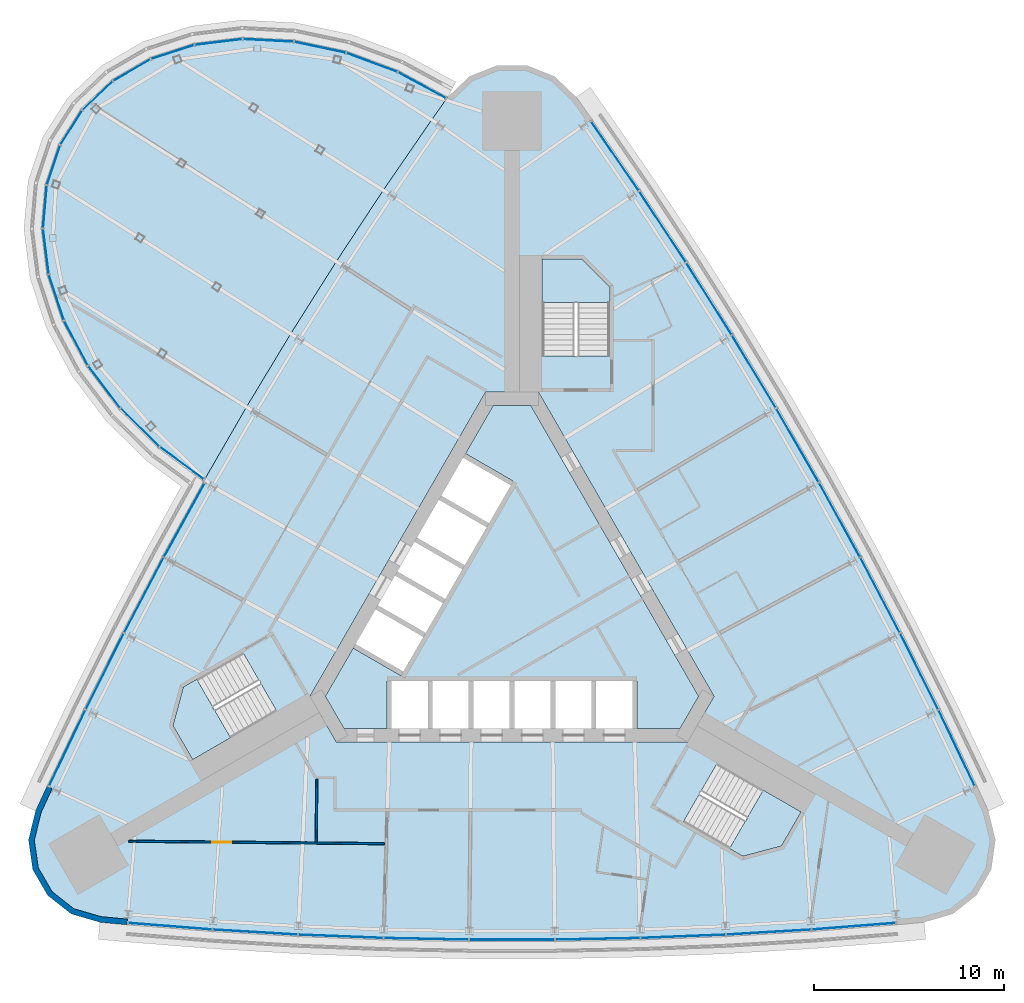
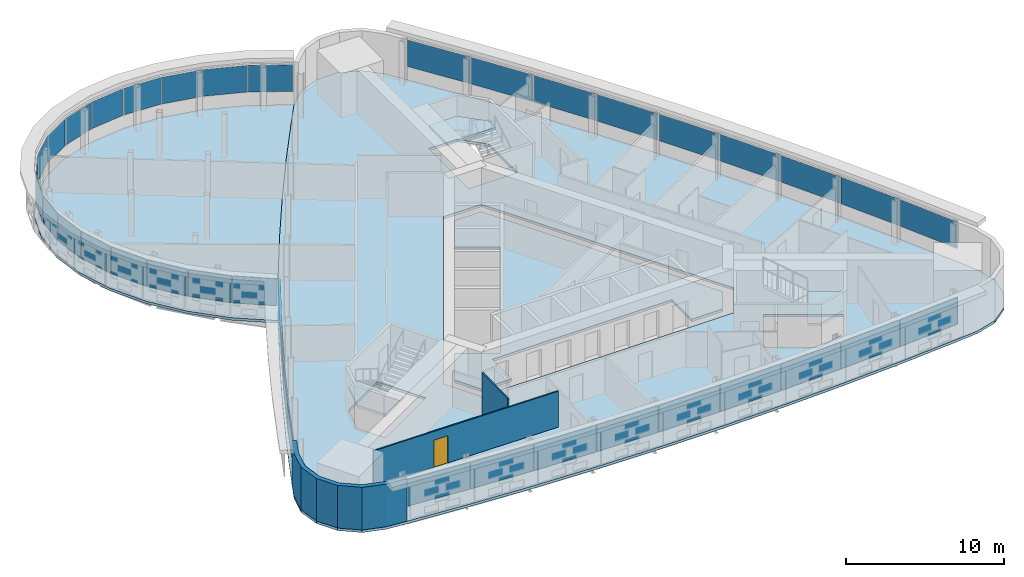
# One storey, part 10 of 17: 39 plates, 6 slabs, 3 walls, 1 door, 1 opening, 7 elements without a shape of their own.
"""IFC4 building model written with IfcOpenShell, lengths in metres."""

from ifc_helpers import new_model, si_unit, direction, frame, frame_2d, origin, origin_2d, place, context, subcontext, project, spatial, polyline, rectangle, outline, extrude, material, layer, layer_set, type_object, element, fill, aggregate, save


model = new_model("IFC4")

# Units and contexts
model_context = context("Model", 3, precision=1e-05, world=origin(), true_north=direction((0.0, 1.0)))
body_context = subcontext(model_context, "Body", "Model", "MODEL_VIEW")
ifc_project = project(units=[si_unit("LENGTHUNIT", "METRE"), si_unit("AREAUNIT", "SQUARE_METRE"), si_unit("VOLUMEUNIT", "CUBIC_METRE"), si_unit("PLANEANGLEUNIT", "RADIAN"), si_unit("MASSUNIT", "GRAM", prefix="KILO")], contexts=[model_context])

# Site, building, storey
site_placement = place(None, origin())
site = spatial("IfcSite", under=ifc_project, at=site_placement, CompositionType="ELEMENT")
building_placement = place(site_placement, origin())
building = spatial("IfcBuilding", under=site, at=building_placement, Name="Noor Cloister Tower", CompositionType="ELEMENT")
storey_placement = place(building_placement, frame((0.0, 0.0, 98.699951171875)))
storey = spatial("IfcBuildingStorey", under=building, at=storey_placement, Name="L25", CompositionType="ELEMENT", Elevation=98.699951171875)

# Slabs
ifc_material_1 = material(Name="Concrete C40/50", Category="concrete")
ifc_layer_1 = layer(ifc_material_1, 0.199951171875)
ifc_layer_set_1 = layer_set([ifc_layer_1], Name="Core floor slab 200 C40/50")
slab_type_1 = type_object("IfcSlabType", Name="Core floor slab 200 C40/50", PredefinedType="FLOOR", material=ifc_layer_set_1)
slab_1_placement = place(storey_placement, frame((0.0, 0.0, -0.199951171875)))
element("IfcSlab", 1, at=slab_1_placement, inside=storey, type_object=slab_type_1, Name="Core floor L25", PredefinedType="FLOOR", context=body_context, shape_type="SweptSolid", body=[
    extrude(outline(polyline([(-6.574951171875, -6.228271484375), (-6.574951171875, -3.728271484375), (6.574951171875, -3.728271484375), (6.574951171875, -6.228271484375), (8.82470703125, -6.228271484375), (9.80615234375, -4.5283203125), (0.9814453125, 10.75634765625), (-0.9814453125, 10.75634765625), (-2.44384765625, 8.2236328125), (0.067626953125, 6.773681640625), (-5.832275390625, -3.4453125), (-8.34375, -1.995361328125), (-9.80615234375, -4.5283203125), (-8.82470703125, -6.228271484375), (-6.574951171875, -6.228271484375)])), origin(), (0.0, 0.0, 1.0), 0.199951171875),
])
ifc_material_2 = material(Name="Concrete C40/50", Category="concrete")
ifc_layer_2 = layer(ifc_material_2, 0.199951171875)
ifc_layer_set_2 = layer_set([ifc_layer_2], Name="Floor slab 200 C40/50")
slab_type_2 = type_object("IfcSlabType", Name="Floor slab 200 C40/50", PredefinedType="FLOOR", material=ifc_layer_set_2)
slab_2_placement = place(storey_placement, frame((0.0, 0.0, -0.199951171875)))
element("IfcSlab", 2, at=slab_2_placement, inside=storey, type_object=slab_type_2, Name="Floor slab L25", PredefinedType="FLOOR", context=body_context, shape_type="SweptSolid", body=[
    extrude(outline(polyline([(3.37548828125, 26.95263671875), (2.240478515625, 28.035400390625), (0.784423828125, 28.61865234375), (-0.784423828125, 28.61865234375), (-2.240478515625, 28.035400390625), (-3.37548828125, 26.95263671875), (-4.204833984375, 25.77978515625), (-6.754150390625, 22.07177734375), (-9.230224609375, 18.314208984375), (-11.6318359375, 14.5087890625), (-13.9580078125, 10.65673828125), (-16.2080078125, 6.759765625), (-18.380859375, 2.819091796875), (-20.475830078125, -1.16357421875), (-22.49169921875, -5.1865234375), (-24.42822265625, -9.24853515625), (-25.029541015625, -10.552978515625), (-25.399658203125, -12.077392578125), (-25.1767578125, -13.630126953125), (-24.392333984375, -14.988525390625), (-23.1591796875, -15.958251953125), (-21.65380859375, -16.399658203125), (-20.2236328125, -16.53125), (-15.737548828125, -16.88525390625), (-11.245361328125, -17.150634765625), (-6.7490234375, -17.327880859375), (-2.25, -17.41650390625), (2.25, -17.41650390625), (6.7490234375, -17.327880859375), (11.245361328125, -17.150634765625), (15.737548828125, -16.88525390625), (20.2236328125, -16.53125), (21.65380859375, -16.399658203125), (23.1591796875, -15.958251953125), (24.392333984375, -14.988525390625), (25.1767578125, -13.630126953125), (25.399658203125, -12.077392578125), (25.029541015625, -10.552978515625), (24.42822265625, -9.24853515625), (22.49169921875, -5.1865234375), (20.475830078125, -1.16357421875), (18.380859375, 2.819091796875), (16.2080078125, 6.759765625), (13.9580078125, 10.65673828125), (11.6318359375, 14.5087890625), (9.230224609375, 18.314208984375), (6.754150390625, 22.07177734375), (4.204833984375, 25.77978515625), (3.37548828125, 26.95263671875)]), holes=[polyline([(8.999755859375, -11.126220703125), (12.131591796875, -12.934326171875), (14.1572265625, -12.3916015625), (15.19091796875, -10.601318359375), (10.774658203125, -8.0517578125), (8.999755859375, -11.126220703125)]), polyline([(-17.81005859375, -6.064697265625), (-16.776611328125, -7.85498046875), (-12.3603515625, -5.305419921875), (-14.13525390625, -2.23095703125), (-16.662841796875, -3.690185546875), (-17.267333984375, -4.039306640625), (-17.81005859375, -6.064697265625)]), polyline([(-10.6142578125, -4.5283203125), (-9.228759765625, -6.92822265625), (9.228759765625, -6.92822265625), (10.6142578125, -4.5283203125), (1.3857421875, 11.456298828125), (-1.3857421875, 11.456298828125), (-10.6142578125, -4.5283203125)]), polyline([(3.65283203125, 18.456298828125), (1.585693359375, 18.456298828125), (1.585693359375, 13.35693359375), (5.135498046875, 13.35693359375), (5.135498046875, 16.9736328125), (3.65283203125, 18.456298828125)])]), origin(), (0.0, 0.0, 1.0), 0.199951171875),
])

# Curtain wall, plates
ifc_material_3 = material(Name="Aluminium 6063-T6 anodised", Category="aluminium")
curtain_wall_type_1 = type_object("IfcCurtainWallType", Name="Ribbon curtain wall, lower tower CW1", PredefinedType="NOTDEFINED", material=ifc_material_3)
curtain_wall_1_placement = place(storey_placement, origin())
curtain_wall_1 = element("IfcCurtainWall", 3, at=curtain_wall_1_placement, inside=storey, type_object=curtain_wall_type_1, Name="CW1 L25 NW run 2", PredefinedType="NOTDEFINED")
ifc_material_4 = material(Name="Clear laminated glass 2 x 8 mm", Category="glass")
ifc_layer_3 = layer(ifc_material_4, 0.028076171875)
ifc_layer_set_3 = layer_set([ifc_layer_3], Name="Glass panel CW1")
plate_type_1 = type_object("IfcPlateType", Name="Glass panel CW1", PredefinedType="CURTAIN_PANEL", material=ifc_layer_set_3)
plate_1_placement = place(storey_placement, frame((-17.21630859375, 4.72412109375, 1.08984375), z_axis=(0.0, 0.0, 1.0), x_axis=(-0.482858038737, -0.875698643614, 0.0)))
plate_1 = element("IfcPlate", 4, at=plate_1_placement, type_object=plate_type_1, Name="CW1 glass panel 1", PredefinedType="CURTAIN_PANEL", context=body_context, shape_type="SweptSolid", body=[
    extrude(rectangle(XDim=4.39892578125, YDim=0.028076171875, at=origin_2d()), origin(), (0.0, 0.0, 1.0), 2.070068359375),
])
plate_2_placement = place(storey_placement, frame((-19.33984375, 0.78125, 1.08984375), z_axis=(0.0, 0.0, 1.0), x_axis=(-0.465528993936, -0.885032629797, 0.0)))
plate_2 = element("IfcPlate", 5, at=plate_2_placement, type_object=plate_type_1, Name="CW1 glass panel 2", PredefinedType="CURTAIN_PANEL", context=body_context, shape_type="SweptSolid", body=[
    extrude(rectangle(XDim=4.43798828125, YDim=0.028076171875, at=origin_2d()), origin(), (0.0, 0.0, 1.0), 2.070068359375),
])
plate_3_placement = place(storey_placement, frame((-21.394287109375, -3.2197265625, 1.08984375), z_axis=(0.0, 0.0, 1.0), x_axis=(-0.448019609919, -0.894023729622, 0.0)))
plate_3 = element("IfcPlate", 6, at=plate_3_placement, type_object=plate_type_1, Name="CW1 glass panel 3", PredefinedType="CURTAIN_PANEL", context=body_context, shape_type="SweptSolid", body=[
    extrude(rectangle(XDim=4.43798828125, YDim=0.028076171875, at=origin_2d()), origin(), (0.0, 0.0, 1.0), 2.070068359375),
])
plate_4_placement = place(storey_placement, frame((-23.361328125, -7.242919921875, 1.08984375), z_axis=(0.0, 0.0, 1.0), x_axis=(-0.430336639105, -0.902668475712, 0.0)))
plate_4 = element("IfcPlate", 7, at=plate_4_placement, type_object=plate_type_1, Name="CW1 glass panel 4", PredefinedType="CURTAIN_PANEL", context=body_context, shape_type="SweptSolid", body=[
    extrude(rectangle(XDim=4.39892578125, YDim=0.028076171875, at=origin_2d()), origin(), (0.0, 0.0, 1.0), 2.070068359375),
])
aggregate(curtain_wall_1, [plate_1, plate_2, plate_3, plate_4])

curtain_wall_2_placement = place(storey_placement, origin())
curtain_wall_2 = element("IfcCurtainWall", 8, at=curtain_wall_2_placement, inside=storey, type_object=curtain_wall_type_1, Name="CW1 L25 S run 3", PredefinedType="NOTDEFINED")
plate_5_placement = place(storey_placement, frame((-17.953125, -16.610107421875, 1.08984375), z_axis=(0.0, 0.0, 1.0), x_axis=(0.996902150714, -0.078651776212, 0.0)))
plate_5 = element("IfcPlate", 9, at=plate_5_placement, type_object=plate_type_1, Name="CW1 glass panel 1", PredefinedType="CURTAIN_PANEL", context=body_context, shape_type="SweptSolid", body=[
    extrude(rectangle(XDim=4.39892578125, YDim=0.028076171875, at=origin_2d()), origin(), (0.0, 0.0, 1.0), 2.070068359375),
])
plate_6_placement = place(storey_placement, frame((-13.485595703125, -16.918212890625, 1.08984375), z_axis=(0.0, 0.0, 1.0), x_axis=(0.998257066399, -0.059015501228, 0.0)))
plate_6 = element("IfcPlate", 10, at=plate_6_placement, type_object=plate_type_1, Name="CW1 glass panel 2", PredefinedType="CURTAIN_PANEL", context=body_context, shape_type="SweptSolid", body=[
    extrude(rectangle(XDim=4.43798828125, YDim=0.028076171875, at=origin_2d()), origin(), (0.0, 0.0, 1.0), 2.070068359375),
])
plate_7_placement = place(storey_placement, frame((-8.993408203125, -17.139404296875, 1.08984375), z_axis=(0.0, 0.0, 1.0), x_axis=(0.99922523755, -0.039356379951, 0.0)))
plate_7 = element("IfcPlate", 11, at=plate_7_placement, type_object=plate_type_1, Name="CW1 glass panel 3", PredefinedType="CURTAIN_PANEL", context=body_context, shape_type="SweptSolid", body=[
    extrude(rectangle(XDim=4.43798828125, YDim=0.028076171875, at=origin_2d()), origin(), (0.0, 0.0, 1.0), 2.070068359375),
])
plate_8_placement = place(storey_placement, frame((-4.49755859375, -17.272216796875, 1.08984375), z_axis=(0.0, 0.0, 1.0), x_axis=(0.999806290798, -0.019681993839, 0.0)))
plate_8 = element("IfcPlate", 12, at=plate_8_placement, type_object=plate_type_1, Name="CW1 glass panel 4", PredefinedType="CURTAIN_PANEL", context=body_context, shape_type="SweptSolid", body=[
    extrude(rectangle(XDim=4.43798828125, YDim=0.028076171875, at=origin_2d()), origin(), (0.0, 0.0, 1.0), 2.070068359375),
])
plate_9_placement = place(storey_placement, frame((0.0, -17.31640625, 1.08984375), z_axis=(0.0, 0.0, 1.0), x_axis=(1.0, 0.0, 0.0)))
plate_9 = element("IfcPlate", 13, at=plate_9_placement, type_object=plate_type_1, Name="CW1 glass panel 5", PredefinedType="CURTAIN_PANEL", context=body_context, shape_type="SweptSolid", body=[
    extrude(rectangle(XDim=4.43798828125, YDim=0.028076171875, at=origin_2d()), origin(), (0.0, 0.0, 1.0), 2.070068359375),
])
plate_10_placement = place(storey_placement, frame((4.49755859375, -17.272216796875, 1.08984375), z_axis=(0.0, 0.0, 1.0), x_axis=(0.999806290798, 0.019681993839, 0.0)))
plate_10 = element("IfcPlate", 14, at=plate_10_placement, type_object=plate_type_1, Name="CW1 glass panel 6", PredefinedType="CURTAIN_PANEL", context=body_context, shape_type="SweptSolid", body=[
    extrude(rectangle(XDim=4.43798828125, YDim=0.028076171875, at=origin_2d()), origin(), (0.0, 0.0, 1.0), 2.070068359375),
])
plate_11_placement = place(storey_placement, frame((8.993408203125, -17.139404296875, 1.08984375), z_axis=(0.0, 0.0, 1.0), x_axis=(0.99922523755, 0.039356379951, 0.0)))
plate_11 = element("IfcPlate", 15, at=plate_11_placement, type_object=plate_type_1, Name="CW1 glass panel 7", PredefinedType="CURTAIN_PANEL", context=body_context, shape_type="SweptSolid", body=[
    extrude(rectangle(XDim=4.43798828125, YDim=0.028076171875, at=origin_2d()), origin(), (0.0, 0.0, 1.0), 2.070068359375),
])
plate_12_placement = place(storey_placement, frame((13.485595703125, -16.918212890625, 1.08984375), z_axis=(0.0, 0.0, 1.0), x_axis=(0.998257066399, 0.059015501228, 0.0)))
plate_12 = element("IfcPlate", 16, at=plate_12_placement, type_object=plate_type_1, Name="CW1 glass panel 8", PredefinedType="CURTAIN_PANEL", context=body_context, shape_type="SweptSolid", body=[
    extrude(rectangle(XDim=4.43798828125, YDim=0.028076171875, at=origin_2d()), origin(), (0.0, 0.0, 1.0), 2.070068359375),
])
plate_13_placement = place(storey_placement, frame((17.953125, -16.610107421875, 1.08984375), z_axis=(0.0, 0.0, 1.0), x_axis=(0.996902150714, 0.078651776212, 0.0)))
plate_13 = element("IfcPlate", 17, at=plate_13_placement, type_object=plate_type_1, Name="CW1 glass panel 9", PredefinedType="CURTAIN_PANEL", context=body_context, shape_type="SweptSolid", body=[
    extrude(rectangle(XDim=4.39892578125, YDim=0.028076171875, at=origin_2d()), origin(), (0.0, 0.0, 1.0), 2.070068359375),
])
aggregate(curtain_wall_2, [plate_5, plate_6, plate_7, plate_8, plate_9, plate_10, plate_11, plate_12, plate_13])

curtain_wall_3_placement = place(storey_placement, origin())
curtain_wall_3 = element("IfcCurtainWall", 18, at=curtain_wall_3_placement, inside=storey, type_object=curtain_wall_type_1, Name="CW1 L25 NE run 4", PredefinedType="NOTDEFINED")
plate_14_placement = place(storey_placement, frame((23.361328125, -7.242919921875, 1.08984375), z_axis=(0.0, 0.0, 1.0), x_axis=(-0.430336639105, 0.902668475712, 0.0)))
plate_14 = element("IfcPlate", 19, at=plate_14_placement, type_object=plate_type_1, Name="CW1 glass panel 1", PredefinedType="CURTAIN_PANEL", context=body_context, shape_type="SweptSolid", body=[
    extrude(rectangle(XDim=4.39892578125, YDim=0.028076171875, at=origin_2d()), origin(), (0.0, 0.0, 1.0), 2.070068359375),
])
plate_15_placement = place(storey_placement, frame((21.394287109375, -3.2197265625, 1.08984375), z_axis=(0.0, 0.0, 1.0), x_axis=(-0.448019609919, 0.894023729622, 0.0)))
plate_15 = element("IfcPlate", 20, at=plate_15_placement, type_object=plate_type_1, Name="CW1 glass panel 2", PredefinedType="CURTAIN_PANEL", context=body_context, shape_type="SweptSolid", body=[
    extrude(rectangle(XDim=4.43798828125, YDim=0.028076171875, at=origin_2d()), origin(), (0.0, 0.0, 1.0), 2.070068359375),
])
plate_16_placement = place(storey_placement, frame((19.33984375, 0.78125, 1.08984375), z_axis=(0.0, 0.0, 1.0), x_axis=(-0.465528993936, 0.885032629797, 0.0)))
plate_16 = element("IfcPlate", 21, at=plate_16_placement, type_object=plate_type_1, Name="CW1 glass panel 3", PredefinedType="CURTAIN_PANEL", context=body_context, shape_type="SweptSolid", body=[
    extrude(rectangle(XDim=4.43798828125, YDim=0.028076171875, at=origin_2d()), origin(), (0.0, 0.0, 1.0), 2.070068359375),
])
plate_17_placement = place(storey_placement, frame((17.206787109375, 4.7412109375, 1.08984375), z_axis=(0.0, 0.0, 1.0), x_axis=(-0.482858038737, 0.875698643614, 0.0)))
plate_17 = element("IfcPlate", 22, at=plate_17_placement, type_object=plate_type_1, Name="CW1 glass panel 4", PredefinedType="CURTAIN_PANEL", context=body_context, shape_type="SweptSolid", body=[
    extrude(rectangle(XDim=4.43798828125, YDim=0.028076171875, at=origin_2d()), origin(), (0.0, 0.0, 1.0), 2.070068359375),
])
plate_18_placement = place(storey_placement, frame((14.996337890625, 8.658203125, 1.08984375), z_axis=(0.0, 0.0, 1.0), x_axis=(-0.5, 0.866025403784, 0.0)))
plate_18 = element("IfcPlate", 23, at=plate_18_placement, type_object=plate_type_1, Name="CW1 glass panel 5", PredefinedType="CURTAIN_PANEL", context=body_context, shape_type="SweptSolid", body=[
    extrude(rectangle(XDim=4.43798828125, YDim=0.028076171875, at=origin_2d()), origin(), (0.0, 0.0, 1.0), 2.070068359375),
])
plate_19_placement = place(storey_placement, frame((12.70947265625, 12.531005859375, 1.08984375), z_axis=(0.0, 0.0, 1.0), x_axis=(-0.516948252061, 0.856016649775, 0.0)))
plate_19 = element("IfcPlate", 24, at=plate_19_placement, type_object=plate_type_1, Name="CW1 glass panel 6", PredefinedType="CURTAIN_PANEL", context=body_context, shape_type="SweptSolid", body=[
    extrude(rectangle(XDim=4.43798828125, YDim=0.028076171875, at=origin_2d()), origin(), (0.0, 0.0, 1.0), 2.070068359375),
])
plate_20_placement = place(storey_placement, frame((10.346435546875, 16.358154296875, 1.08984375), z_axis=(0.0, 0.0, 1.0), x_axis=(-0.533696243614, 0.845676249845, 0.0)))
plate_20 = element("IfcPlate", 25, at=plate_20_placement, type_object=plate_type_1, Name="CW1 glass panel 7", PredefinedType="CURTAIN_PANEL", context=body_context, shape_type="SweptSolid", body=[
    extrude(rectangle(XDim=4.43798828125, YDim=0.028076171875, at=origin_2d()), origin(), (0.0, 0.0, 1.0), 2.070068359375),
])
plate_21_placement = place(storey_placement, frame((7.90869140625, 20.137939453125, 1.08984375), z_axis=(0.0, 0.0, 1.0), x_axis=(-0.550237456479, 0.835008228395, 0.0)))
plate_21 = element("IfcPlate", 26, at=plate_21_placement, type_object=plate_type_1, Name="CW1 glass panel 8", PredefinedType="CURTAIN_PANEL", context=body_context, shape_type="SweptSolid", body=[
    extrude(rectangle(XDim=4.43798828125, YDim=0.028076171875, at=origin_2d()), origin(), (0.0, 0.0, 1.0), 2.070068359375),
])
plate_22_placement = place(storey_placement, frame((5.408203125, 23.85302734375, 1.08984375), z_axis=(0.0, 0.0, 1.0), x_axis=(-0.566565511609, 0.8240166995, 0.0)))
plate_22 = element("IfcPlate", 27, at=plate_22_placement, type_object=plate_type_1, Name="CW1 glass panel 9", PredefinedType="CURTAIN_PANEL", context=body_context, shape_type="SweptSolid", body=[
    extrude(rectangle(XDim=4.39892578125, YDim=0.028076171875, at=origin_2d()), origin(), (0.0, 0.0, 1.0), 2.070068359375),
])
aggregate(curtain_wall_3, [plate_14, plate_15, plate_16, plate_17, plate_18, plate_19, plate_20, plate_21, plate_22])

ifc_material_5 = material(Name="Aluminium 6063-T6 anodised", Category="aluminium")
curtain_wall_type_2 = type_object("IfcCurtainWallType", Name="Sky bar curtain wall, lower bars CW2", PredefinedType="NOTDEFINED", material=ifc_material_5)
curtain_wall_4_placement = place(storey_placement, origin())
curtain_wall_4 = element("IfcCurtainWall", 28, at=curtain_wall_4_placement, inside=storey, type_object=curtain_wall_type_2, Name="CW2 L25 NW sky bar run 1", PredefinedType="NOTDEFINED")
ifc_material_6 = material(Name="Clear laminated glass 2 x 8 mm", Category="glass")
ifc_layer_4 = layer(ifc_material_6, 0.028076171875)
ifc_layer_set_4 = layer_set([ifc_layer_4], Name="Glass panel CW2")
plate_type_2 = type_object("IfcPlateType", Name="Glass panel CW2", PredefinedType="CURTAIN_PANEL", material=ifc_layer_set_4)
plate_23_placement = place(storey_placement, frame((-4.73291015625, 27.5751953125, 1.08984375), z_axis=(0.0, 0.0, 1.0), x_axis=(-0.879047686992, 0.476733850271, 0.0)))
plate_23 = element("IfcPlate", 29, at=plate_23_placement, type_object=plate_type_2, Name="CW2 glass panel 1", PredefinedType="CURTAIN_PANEL", context=body_context, shape_type="SweptSolid", body=[
    extrude(rectangle(XDim=2.83984375, YDim=0.028076171875, at=origin_2d()), origin(), (0.0, 0.0, 1.0), 2.070068359375),
])
plate_24_placement = place(storey_placement, frame((-7.361328125, 28.7705078125, 1.08984375), z_axis=(0.0, 0.0, 1.0), x_axis=(-0.937123819566, 0.348997058443, 0.0)))
plate_24 = element("IfcPlate", 30, at=plate_24_placement, type_object=plate_type_2, Name="CW2 glass panel 2", PredefinedType="CURTAIN_PANEL", context=body_context, shape_type="SweptSolid", body=[
    extrude(rectangle(XDim=2.828857421875, YDim=0.028076171875, at=origin_2d()), origin(), (0.0, 0.0, 1.0), 2.070068359375),
])
plate_25_placement = place(storey_placement, frame((-10.0869140625, 29.566650390625, 1.08984375), z_axis=(0.0, 0.0, 1.0), x_axis=(-0.978091544685, 0.208175239201, 0.0)))
plate_25 = element("IfcPlate", 31, at=plate_25_placement, type_object=plate_type_2, Name="CW2 glass panel 3", PredefinedType="CURTAIN_PANEL", context=body_context, shape_type="SweptSolid", body=[
    extrude(rectangle(XDim=2.744873046875, YDim=0.028076171875, at=origin_2d()), origin(), (0.0, 0.0, 1.0), 2.070068359375),
])
plate_26_placement = place(storey_placement, frame((-12.801513671875, 29.9287109375, 1.08984375), z_axis=(0.0, 0.0, 1.0), x_axis=(-0.998642464858, 0.052088649262, 0.0)))
plate_26 = element("IfcPlate", 32, at=plate_26_placement, type_object=plate_type_2, Name="CW2 glass panel 4", PredefinedType="CURTAIN_PANEL", context=body_context, shape_type="SweptSolid", body=[
    extrude(rectangle(XDim=2.62890625, YDim=0.028076171875, at=origin_2d()), origin(), (0.0, 0.0, 1.0), 2.070068359375),
])
plate_27_placement = place(storey_placement, frame((-15.412109375, 29.8447265625, 1.08984375), z_axis=(0.0, 0.0, 1.0), x_axis=(-0.992712056582, -0.12051046725, 0.0)))
plate_27 = element("IfcPlate", 33, at=plate_27_placement, type_object=plate_type_2, Name="CW2 glass panel 5", PredefinedType="CURTAIN_PANEL", context=body_context, shape_type="SweptSolid", body=[
    extrude(rectangle(XDim=2.493896484375, YDim=0.028076171875, at=origin_2d()), origin(), (0.0, 0.0, 1.0), 2.070068359375),
])
plate_28_placement = place(storey_placement, frame((-17.82958984375, 29.31884765625, 1.08984375), z_axis=(0.0, 0.0, 1.0), x_axis=(-0.9514061289, -0.307938919091, 0.0)))
plate_28 = element("IfcPlate", 34, at=plate_28_placement, type_object=plate_type_2, Name="CW2 glass panel 6", PredefinedType="CURTAIN_PANEL", context=body_context, shape_type="SweptSolid", body=[
    extrude(rectangle(XDim=2.356201171875, YDim=0.028076171875, at=origin_2d()), origin(), (0.0, 0.0, 1.0), 2.070068359375),
])
plate_29_placement = place(storey_placement, frame((-19.971435546875, 28.36962890625, 1.08984375), z_axis=(0.0, 0.0, 1.0), x_axis=(-0.864505116655, -0.502624017808, 0.0)))
plate_29 = element("IfcPlate", 35, at=plate_29_placement, type_object=plate_type_2, Name="CW2 glass panel 7", PredefinedType="CURTAIN_PANEL", context=body_context, shape_type="SweptSolid", body=[
    extrude(rectangle(XDim=2.235595703125, YDim=0.028076171875, at=origin_2d()), origin(), (0.0, 0.0, 1.0), 2.070068359375),
])
plate_30_placement = place(storey_placement, frame((-21.76611328125, 27.03076171875, 1.08984375), z_axis=(0.0, 0.0, 1.0), x_axis=(-0.725047879646, -0.688698462479, 0.0)))
plate_30 = element("IfcPlate", 36, at=plate_30_placement, type_object=plate_type_2, Name="CW2 glass panel 8", PredefinedType="CURTAIN_PANEL", context=body_context, shape_type="SweptSolid", body=[
    extrude(rectangle(XDim=2.152099609375, YDim=0.028076171875, at=origin_2d()), origin(), (0.0, 0.0, 1.0), 2.070068359375),
])
plate_31_placement = place(storey_placement, frame((-23.15380859375, 25.34765625, 1.08984375), z_axis=(0.0, 0.0, 1.0), x_axis=(-0.53635025801, -0.843995498052, 0.0)))
plate_31 = element("IfcPlate", 37, at=plate_31_placement, type_object=plate_type_2, Name="CW2 glass panel 9", PredefinedType="CURTAIN_PANEL", context=body_context, shape_type="SweptSolid", body=[
    extrude(rectangle(XDim=2.122314453125, YDim=0.028076171875, at=origin_2d()), origin(), (0.0, 0.0, 1.0), 2.070068359375),
])
plate_32_placement = place(storey_placement, frame((-24.08837890625, 23.37646484375, 1.08984375), z_axis=(0.0, 0.0, 1.0), x_axis=(-0.315619674124, -0.948885778851, 0.0)))
plate_32 = element("IfcPlate", 38, at=plate_32_placement, type_object=plate_type_2, Name="CW2 glass panel 10", PredefinedType="CURTAIN_PANEL", context=body_context, shape_type="SweptSolid", body=[
    extrude(rectangle(XDim=2.152099609375, YDim=0.028076171875, at=origin_2d()), origin(), (0.0, 0.0, 1.0), 2.070068359375),
])
plate_33_placement = place(storey_placement, frame((-24.53857421875, 21.18310546875, 1.08984375), z_axis=(0.0, 0.0, 1.0), x_axis=(-0.087934891536, -0.996126224356, 0.0)))
plate_33 = element("IfcPlate", 39, at=plate_33_placement, type_object=plate_type_2, Name="CW2 glass panel 11", PredefinedType="CURTAIN_PANEL", context=body_context, shape_type="SweptSolid", body=[
    extrude(rectangle(XDim=2.235595703125, YDim=0.028076171875, at=origin_2d()), origin(), (0.0, 0.0, 1.0), 2.070068359375),
])
plate_34_placement = place(storey_placement, frame((-24.488037109375, 18.8408203125, 1.08984375), z_axis=(0.0, 0.0, 1.0), x_axis=(0.125227226329, -0.992128087389, 0.0)))
plate_34 = element("IfcPlate", 40, at=plate_34_placement, type_object=plate_type_2, Name="CW2 glass panel 12", PredefinedType="CURTAIN_PANEL", context=body_context, shape_type="SweptSolid", body=[
    extrude(rectangle(XDim=2.356201171875, YDim=0.028076171875, at=origin_2d()), origin(), (0.0, 0.0, 1.0), 2.070068359375),
])
plate_35_placement = place(storey_placement, frame((-23.937744140625, 16.4287109375, 1.08984375), z_axis=(0.0, 0.0, 1.0), x_axis=(0.312457260775, -0.949931818705, 0.0)))
plate_35 = element("IfcPlate", 41, at=plate_35_placement, type_object=plate_type_2, Name="CW2 glass panel 13", PredefinedType="CURTAIN_PANEL", context=body_context, shape_type="SweptSolid", body=[
    extrude(rectangle(XDim=2.493896484375, YDim=0.028076171875, at=origin_2d()), origin(), (0.0, 0.0, 1.0), 2.070068359375),
])
plate_36_placement = place(storey_placement, frame((-22.905029296875, 14.029541015625, 1.08984375), z_axis=(0.0, 0.0, 1.0), x_axis=(0.471239018454, -0.882005548444, 0.0)))
plate_36 = element("IfcPlate", 42, at=plate_36_placement, type_object=plate_type_2, Name="CW2 glass panel 14", PredefinedType="CURTAIN_PANEL", context=body_context, shape_type="SweptSolid", body=[
    extrude(rectangle(XDim=2.62890625, YDim=0.028076171875, at=origin_2d()), origin(), (0.0, 0.0, 1.0), 2.070068359375),
])
plate_37_placement = place(storey_placement, frame((-21.424560546875, 11.725830078125, 1.08984375), z_axis=(0.0, 0.0, 1.0), x_axis=(0.603825610907, -0.797116447963, 0.0)))
plate_37 = element("IfcPlate", 43, at=plate_37_placement, type_object=plate_type_2, Name="CW2 glass panel 15", PredefinedType="CURTAIN_PANEL", context=body_context, shape_type="SweptSolid", body=[
    extrude(rectangle(XDim=2.744873046875, YDim=0.028076171875, at=origin_2d()), origin(), (0.0, 0.0, 1.0), 2.070068359375),
])
plate_38_placement = place(storey_placement, frame((-19.54638671875, 9.59619140625, 1.08984375), z_axis=(0.0, 0.0, 1.0), x_axis=(0.713922028433, -0.700225204715, 0.0)))
plate_38 = element("IfcPlate", 44, at=plate_38_placement, type_object=plate_type_2, Name="CW2 glass panel 16", PredefinedType="CURTAIN_PANEL", context=body_context, shape_type="SweptSolid", body=[
    extrude(rectangle(XDim=2.828857421875, YDim=0.028076171875, at=origin_2d()), origin(), (0.0, 0.0, 1.0), 2.070068359375),
])
plate_39_placement = place(storey_placement, frame((-17.347900390625, 7.724365234375, 1.08984375), z_axis=(0.0, 0.0, 1.0), x_axis=(0.804906671058, -0.593401424742, 0.0)))
plate_39 = element("IfcPlate", 45, at=plate_39_placement, type_object=plate_type_2, Name="CW2 glass panel 17", PredefinedType="CURTAIN_PANEL", context=body_context, shape_type="SweptSolid", body=[
    extrude(rectangle(XDim=2.83984375, YDim=0.028076171875, at=origin_2d()), origin(), (0.0, 0.0, 1.0), 2.070068359375),
])
aggregate(curtain_wall_4, [plate_23, plate_24, plate_25, plate_26, plate_27, plate_28, plate_29, plate_30, plate_31, plate_32, plate_33, plate_34, plate_35, plate_36, plate_37, plate_38, plate_39])

# Slab
ifc_material_7 = material(Name="Concrete C40/50", Category="concrete")
ifc_layer_5 = layer(ifc_material_7, 0.199951171875)
ifc_layer_set_5 = layer_set([ifc_layer_5], Name="Pod floor slab 200")
slab_type_3 = type_object("IfcSlabType", Name="Pod floor slab 200", PredefinedType="FLOOR", material=ifc_layer_set_5)
slab_3_placement = place(storey_placement, frame((0.0, 0.0, -0.199951171875)))
element("IfcSlab", 46, at=slab_3_placement, inside=storey, type_object=slab_type_3, Name="Pod floor slab L25", PredefinedType="FLOOR", context=body_context, shape_type="SweptSolid", body=[
    extrude(outline(polyline([(-3.37548828125, 26.95263671875), (-5.96630859375, 28.357666015625), (-8.68701171875, 29.370849609375), (-11.445556640625, 29.9580078125), (-14.147705078125, 30.098876953125), (-16.70166015625, 29.7890625), (-19.02001953125, 29.03857421875), (-21.0244140625, 27.873291015625), (-22.646240234375, 26.332763671875), (-23.830078125, 24.469482421875), (-24.5361328125, 22.34716796875), (-24.739990234375, 20.03759765625), (-24.434814453125, 17.619873046875), (-23.631103515625, 15.17626953125), (-22.35595703125, 12.78955078125), (-20.65283203125, 10.54150390625), (-18.580078125, 8.508544921875), (-16.2080078125, 6.759765625), (-13.9580078125, 10.65673828125), (-11.6318359375, 14.5087890625), (-9.230224609375, 18.314208984375), (-6.754150390625, 22.07177734375), (-4.204833984375, 25.77978515625), (-3.37548828125, 26.95263671875)])), origin(), (0.0, 0.0, 1.0), 0.199951171875),
])

# Stair, slab
ifc_material_8 = material(Name="Concrete C40/50", Category="concrete")
stair_type = type_object("IfcStairType", Name="Exit stair 22 risers", PredefinedType="HALF_TURN_STAIR", material=ifc_material_8)
stair_1_placement = place(storey_placement, origin())
stair_1 = element("IfcStair", 47, at=stair_1_placement, inside=storey, type_object=stair_type, Name="Exit stair ST1 L25", PredefinedType="HALF_TURN_STAIR")
ifc_material_9 = material(Name="Concrete C40/50", Category="concrete")
ifc_layer_6 = layer(ifc_material_9, 0.199951171875)
ifc_layer_set_6 = layer_set([ifc_layer_6], Name="Stair landing 200 C40/50")
slab_type_4 = type_object("IfcSlabType", Name="Stair landing 200 C40/50", PredefinedType="LANDING", material=ifc_layer_set_6)
slab_4_placement = place(storey_placement, frame((0.0, 0.0, 1.60009765625)))
slab_4 = element("IfcSlab", 48, at=slab_4_placement, type_object=slab_type_4, Name="ST1 landing 1", PredefinedType="LANDING", context=body_context, shape_type="SweptSolid", body=[
    extrude(outline(polyline([(5.135498046875, 16.15576171875), (5.135498046875, 16.9736328125), (3.65283203125, 18.456298828125), (1.585693359375, 18.456298828125), (1.585693359375, 16.15576171875), (5.135498046875, 16.15576171875)])), origin(), (0.0, 0.0, 1.0), 0.199951171875),
])
aggregate(stair_1, [slab_4])

stair_2_placement = place(storey_placement, origin())
stair_2 = element("IfcStair", 49, at=stair_2_placement, inside=storey, type_object=stair_type, Name="Exit stair ST2 L25", PredefinedType="HALF_TURN_STAIR")
slab_5_placement = place(storey_placement, frame((0.0, 0.0, 1.60009765625)))
slab_5 = element("IfcSlab", 50, at=slab_5_placement, type_object=slab_type_4, Name="ST2 landing 1", PredefinedType="LANDING", context=body_context, shape_type="SweptSolid", body=[
    extrude(outline(polyline([(-16.55908203125, -3.63037109375), (-17.267333984375, -4.039306640625), (-17.81005859375, -6.064697265625), (-16.776611328125, -7.85498046875), (-14.7841796875, -6.70458984375), (-16.55908203125, -3.63037109375)])), origin(), (0.0, 0.0, 1.0), 0.199951171875),
])
aggregate(stair_2, [slab_5])

stair_3_placement = place(storey_placement, origin())
stair_3 = element("IfcStair", 51, at=stair_3_placement, inside=storey, type_object=stair_type, Name="Exit stair ST3 L25", PredefinedType="HALF_TURN_STAIR")
slab_6_placement = place(storey_placement, frame((0.0, 0.0, 1.60009765625)))
slab_6 = element("IfcSlab", 52, at=slab_6_placement, type_object=slab_type_4, Name="ST3 landing 1", PredefinedType="LANDING", context=body_context, shape_type="SweptSolid", body=[
    extrude(outline(polyline([(11.423583984375, -12.525390625), (12.131591796875, -12.934326171875), (14.1572265625, -12.3916015625), (15.19091796875, -10.601318359375), (13.198486328125, -9.451171875), (11.423583984375, -12.525390625)])), origin(), (0.0, 0.0, 1.0), 0.199951171875),
])
aggregate(stair_3, [slab_6])

# Wall
ifc_material_10 = material(Name="Limestone", Category="masonry")
ifc_layer_7 = layer(ifc_material_10, 0.300048828125)
ifc_layer_set_7 = layer_set([ifc_layer_7], Name="Limestone cladding 300")
wall_type_1 = type_object("IfcWallType", Name="Limestone cladding 300", PredefinedType="NOTDEFINED", material=ifc_layer_set_7)
wall_1_placement = place(storey_placement, origin())
element("IfcWall", 53, at=wall_1_placement, inside=storey, type_object=wall_type_1, Name="Limestone pier cladding L25 1.1", PredefinedType="NOTDEFINED", context=body_context, shape_type="SweptSolid", body=[
    extrude(outline(polyline([(-24.42822265625, -9.24853515625), (-25.029541015625, -10.552978515625), (-25.399658203125, -12.077392578125), (-25.1767578125, -13.630126953125), (-24.392333984375, -14.988525390625), (-23.1591796875, -15.958251953125), (-21.65380859375, -16.399658203125), (-20.2236328125, -16.53125), (-20.196044921875, -16.232421875), (-21.597412109375, -16.103515625), (-23.019287109375, -15.6865234375), (-24.161376953125, -14.78857421875), (-24.887939453125, -13.5302734375), (-25.094482421875, -12.092041015625), (-24.744873046875, -10.652099609375), (-24.15576171875, -9.3740234375), (-24.42822265625, -9.24853515625)])), origin(), (0.0, 0.0, 1.0), 3.300048828125),
])

# Wall, opening, door
ifc_material_11 = material(Name="Gypsum board partition on steel studs, 100 mm", Category="steel")
ifc_layer_8 = layer(ifc_material_11, 0.10009765625)
ifc_layer_set_8 = layer_set([ifc_layer_8], Name="Partition 100")
wall_type_2 = type_object("IfcWallType", Name="Partition 100", PredefinedType="PARTITIONING", material=ifc_layer_set_8)
wall_2_placement = place(storey_placement, frame((-20.139892578125, -12.139404296875, 0.0), z_axis=(0.0, 0.0, 1.0), x_axis=(0.999951618297, -0.009836720277, 0.0)))
wall_2 = element("IfcWall", 54, at=wall_2_placement, inside=storey, type_object=wall_type_2, Name="Partition 100 L25 023", PredefinedType="PARTITIONING", context=body_context, shape_type="SweptSolid", body=[
    extrude(rectangle(XDim=13.4521484375, YDim=0.10009765625, at=frame_2d((6.72607421875, 0.0))), origin(), (0.0, 0.0, 1.0), 2.778076171875),
])
opening_placement = place(wall_2_placement, frame((4.40087890625, 0.0, 0.0)))
opening = element("IfcOpeningElement", 55, at=opening_placement, cuts=wall_2, Name="Opening L25-012", PredefinedType="OPENING", context=body_context, shape_type="SweptSolid", body=[
    extrude(rectangle(XDim=1.0, YDim=2.10009765625, at=frame_2d((0.5, 1.050048828125))), frame((0.0, 0.06005859375, 0.0), z_axis=(0.0, -1.0, 0.0), x_axis=(1.0, 0.0, 0.0)), (0.0, 0.0, 1.0), 0.1201171875),
])
ifc_material_12 = material(Name="Timber door leaf with steel frame", Category="steel")
door_type = type_object("IfcDoorType", Name="Interior door 1000", OperationType="NOTDEFINED", PredefinedType="DOOR", material=ifc_material_12)
door_placement = place(opening_placement, origin())
door = element("IfcDoor", 56, at=door_placement, inside=storey, type_object=door_type, Name="Interior door 1000 L25-012", OperationType="SINGLE_SWING_LEFT", OverallHeight=2.10009765625, OverallWidth=1.0, PredefinedType="DOOR", context=body_context, shape_type="SweptSolid", body=[
    extrude(rectangle(XDim=1.0, YDim=2.10009765625, at=frame_2d((0.5, 1.050048828125))), frame((0.0, 0.02490234375, 0.0), z_axis=(0.0, -1.0, 0.0), x_axis=(1.0, 0.0, 0.0)), (0.0, 0.0, 1.0), 0.050048828125),
])
fill(opening, door)

# Wall
wall_3_placement = place(storey_placement, frame((-10.287841796875, -12.186279296875, 0.0), z_axis=(0.0, 0.0, 1.0), x_axis=(0.009841169114, 0.999951574523, 0.0)))
element("IfcWall", 57, at=wall_3_placement, inside=storey, type_object=wall_type_2, Name="Partition 100 L25 030", PredefinedType="PARTITIONING", context=body_context, shape_type="SweptSolid", body=[
    extrude(rectangle(XDim=3.299560546875, YDim=0.10009765625, at=frame_2d((1.64990234375, 0.0))), origin(), (0.0, 0.0, 1.0), 3.400146484375),
])

save(model, "model.ifc")
